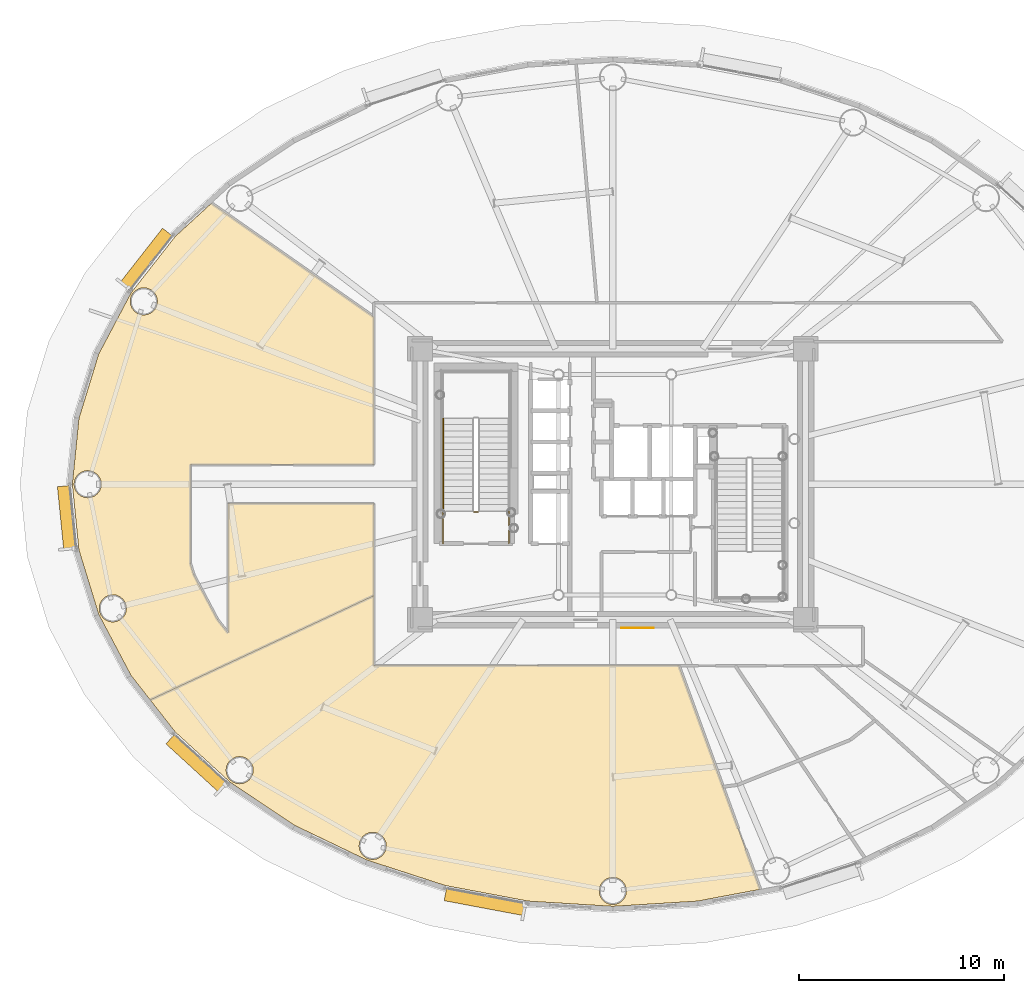
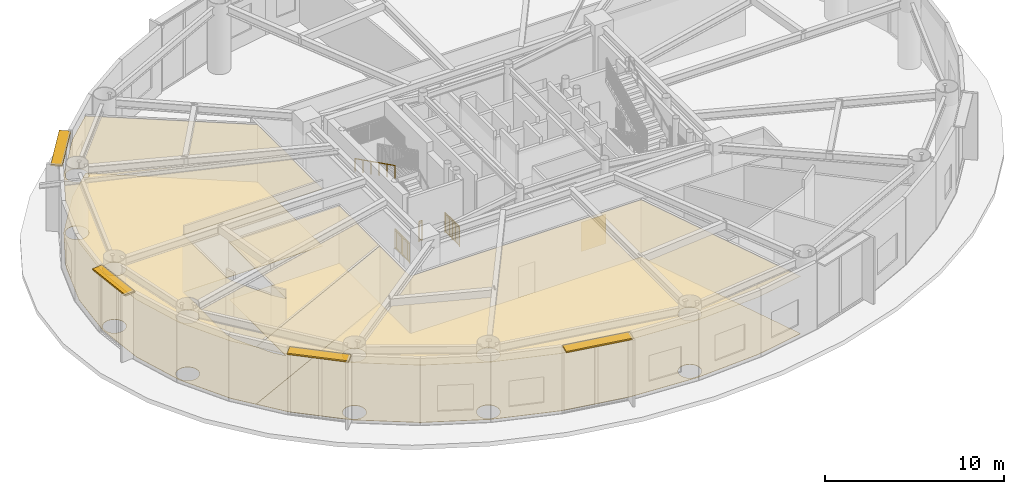
# One storey, part 31 of 38: 5 coverings, 4 railings, 4 shading devices.
"""IFC4 building model written with IfcOpenShell, lengths in metres."""

from ifc_helpers import new_model, si_unit, direction, frame, origin, origin_2d, place, context, subcontext, project, spatial, polyline, rectangle, outline, extrude, source, transform, mapped, material, layer, layer_set, type_object, element, save


model = new_model("IFC4")

# Units and contexts
model_context = context("Model", 3, precision=1e-05, world=origin(), true_north=direction((0.0, 1.0)))
body_context = subcontext(model_context, "Body", "Model", "MODEL_VIEW")
ifc_project = project(units=[si_unit("LENGTHUNIT", "METRE"), si_unit("AREAUNIT", "SQUARE_METRE"), si_unit("VOLUMEUNIT", "CUBIC_METRE"), si_unit("PLANEANGLEUNIT", "RADIAN"), si_unit("MASSUNIT", "GRAM", prefix="KILO")], contexts=[model_context])

# Site, building, storey
site_placement = place(None, origin())
site = spatial("IfcSite", under=ifc_project, at=site_placement, CompositionType="ELEMENT")
building_placement = place(site_placement, origin())
building = spatial("IfcBuilding", under=site, at=building_placement, Name="Linh Dai School and Residence Tower", CompositionType="ELEMENT")
storey_placement = place(building_placement, frame((0.0, 0.0, 151.35009765625)))
storey = spatial("IfcBuildingStorey", under=building, at=storey_placement, Name="L36", CompositionType="ELEMENT", Elevation=151.35009765625)

# Coverings
ifc_material_1 = material(Name="Mineral Fibre Acoustic Suspended Ceiling", Category="masonry")
ifc_layer_1 = layer(ifc_material_1, 0.02001953125)
ifc_layer_set_1 = layer_set([ifc_layer_1], Name="Mineral Fibre Acoustic Suspended Ceiling")
covering_type_1 = type_object("IfcCoveringType", Name="COV-CEIL-AC-20", PredefinedType="CEILING", material=ifc_layer_set_1)
covering_1_placement = place(storey_placement, frame((0.0, 0.0, 3.89990234375)))
element("IfcCovering", 1, at=covering_1_placement, inside=storey, type_object=covering_type_1, Name="L36 Mid-Zone Sky Espresso Bar and Pantry Suspended Ceiling", PredefinedType="CEILING", context=body_context, shape_type="SweptSolid", body=[
    extrude(outline(polyline([(10.932861328125, 20.658935546875), (9.972412109375, 23.791015625), (9.64990234375, 27.0), (9.972412109375, 30.208984375), (10.932861328125, 33.341064453125), (12.5087890625, 36.3203125), (14.663330078125, 39.073486328125), (16.43603515625, 40.69873046875), (24.35009765625, 35.157470703125), (24.35009765625, 27.949951171875), (15.39990234375, 27.949951171875), (15.39990234375, 23.14599609375), (15.57421875, 22.577880859375), (16.720458984375, 20.410888671875), (17.25, 19.734375), (17.25, 26.050048828125), (24.35009765625, 26.050048828125), (24.35009765625, 21.5673828125), (13.445556640625, 16.482666015625), (12.5087890625, 17.6796875), (10.932861328125, 20.658935546875)]), holes=[polyline([(13.77685546875, 35.739990234375), (13.79931640625, 35.9111328125), (13.77685546875, 36.08251953125), (13.710693359375, 36.2421875), (13.60546875, 36.37939453125), (13.468505859375, 36.484619140625), (13.308837890625, 36.55078125), (13.137451171875, 36.5732421875), (12.966064453125, 36.55078125), (12.806396484375, 36.484619140625), (12.669189453125, 36.37939453125), (12.564208984375, 36.2421875), (12.498046875, 36.08251953125), (12.475341796875, 35.9111328125), (12.498046875, 35.739990234375), (12.564208984375, 35.580078125), (12.669189453125, 35.443115234375), (12.806396484375, 35.337890625), (12.966064453125, 35.271728515625), (13.137451171875, 35.249267578125), (13.308837890625, 35.271728515625), (13.468505859375, 35.337890625), (13.60546875, 35.443115234375), (13.710693359375, 35.580078125), (13.77685546875, 35.739990234375)]), polyline([(12.264892578125, 20.775146484375), (12.28759765625, 20.9462890625), (12.264892578125, 21.117919921875), (12.198974609375, 21.27734375), (12.093505859375, 21.41455078125), (11.95654296875, 21.519775390625), (11.796875, 21.5859375), (11.62548828125, 21.6083984375), (11.4541015625, 21.5859375), (11.29443359375, 21.519775390625), (11.157470703125, 21.41455078125), (11.05224609375, 21.27734375), (10.986083984375, 21.117919921875), (10.96337890625, 20.9462890625), (10.986083984375, 20.775146484375), (11.05224609375, 20.615478515625), (11.157470703125, 20.478271484375), (11.29443359375, 20.373046875), (11.4541015625, 20.306884765625), (11.62548828125, 20.284423828125), (11.796875, 20.306884765625), (11.95654296875, 20.373046875), (12.093505859375, 20.478271484375), (12.198974609375, 20.615478515625), (12.264892578125, 20.775146484375)]), polyline([(11.039306640625, 26.82861328125), (11.06201171875, 27.0), (11.039306640625, 27.17138671875), (10.973388671875, 27.3310546875), (10.8681640625, 27.468017578125), (10.73095703125, 27.5732421875), (10.5712890625, 27.639404296875), (10.39990234375, 27.662109375), (10.228759765625, 27.639404296875), (10.069091796875, 27.5732421875), (9.931884765625, 27.468017578125), (9.82666015625, 27.3310546875), (9.760498046875, 27.17138671875), (9.738037109375, 27.0), (9.760498046875, 26.82861328125), (9.82666015625, 26.6689453125), (9.931884765625, 26.531982421875), (10.069091796875, 26.4267578125), (10.228759765625, 26.360595703125), (10.39990234375, 26.337890625), (10.5712890625, 26.360595703125), (10.73095703125, 26.4267578125), (10.8681640625, 26.531982421875), (10.973388671875, 26.6689453125), (11.039306640625, 26.82861328125)])]), origin(), (0.0, 0.0, 1.0), 0.02001953125),
])
covering_2_placement = place(storey_placement, frame((0.0, 0.0, 3.89990234375)))
element("IfcCovering", 2, at=covering_2_placement, inside=storey, type_object=covering_type_1, Name="L36 Mid-Zone Panorama Resident Lounge Suspended Ceiling", PredefinedType="CEILING", context=body_context, shape_type="SweptSolid", body=[
    extrude(outline(polyline([(36.0, 6.419921875), (31.86962890625, 6.674560546875), (27.841796875, 7.431884765625), (24.0166015625, 8.672607421875), (20.488525390625, 10.365478515625), (17.34521484375, 12.4677734375), (14.663330078125, 14.926513671875), (13.445556640625, 16.482666015625), (24.35009765625, 21.5673828125), (24.35009765625, 18.14990234375), (39.22119140625, 18.14990234375), (43.188720703125, 7.24951171875), (40.13037109375, 6.674560546875), (36.0, 6.419921875)]), holes=[polyline([(36.639404296875, 6.998779296875), (36.662109375, 7.169921875), (36.639404296875, 7.34130859375), (36.5732421875, 7.5009765625), (36.468017578125, 7.63818359375), (36.3310546875, 7.743408203125), (36.17138671875, 7.809326171875), (36.0, 7.83203125), (35.82861328125, 7.809326171875), (35.6689453125, 7.743408203125), (35.531982421875, 7.63818359375), (35.4267578125, 7.5009765625), (35.360595703125, 7.34130859375), (35.337890625, 7.169921875), (35.360595703125, 6.998779296875), (35.4267578125, 6.839111328125), (35.531982421875, 6.701904296875), (35.6689453125, 6.5966796875), (35.82861328125, 6.530517578125), (36.0, 6.508056640625), (36.17138671875, 6.530517578125), (36.3310546875, 6.5966796875), (36.468017578125, 6.701904296875), (36.5732421875, 6.839111328125), (36.639404296875, 6.998779296875)]), polyline([(24.867919921875, 9.0380859375), (24.933837890625, 9.19775390625), (24.956298828125, 9.369140625), (24.933837890625, 9.54052734375), (24.867919921875, 9.7001953125), (24.762451171875, 9.837158203125), (24.62548828125, 9.9423828125), (24.4658203125, 10.008544921875), (24.29443359375, 10.031005859375), (24.123046875, 10.008544921875), (23.96337890625, 9.9423828125), (23.826416015625, 9.837158203125), (23.72119140625, 9.7001953125), (23.655029296875, 9.54052734375), (23.63232421875, 9.369140625), (23.655029296875, 9.19775390625), (23.72119140625, 9.0380859375), (23.826416015625, 8.90087890625), (23.96337890625, 8.7958984375), (24.123046875, 8.729736328125), (24.29443359375, 8.70703125), (24.4658203125, 8.729736328125), (24.62548828125, 8.7958984375), (24.762451171875, 8.90087890625), (24.867919921875, 9.0380859375)]), polyline([(18.380859375, 12.727294921875), (18.447021484375, 12.886962890625), (18.469482421875, 13.058349609375), (18.447021484375, 13.2294921875), (18.380859375, 13.389404296875), (18.275634765625, 13.5263671875), (18.138427734375, 13.631591796875), (17.978759765625, 13.69775390625), (17.8076171875, 13.72021484375), (17.63623046875, 13.69775390625), (17.4765625, 13.631591796875), (17.33935546875, 13.5263671875), (17.234130859375, 13.389404296875), (17.168212890625, 13.2294921875), (17.1455078125, 13.058349609375), (17.168212890625, 12.886962890625), (17.234130859375, 12.727294921875), (17.33935546875, 12.590087890625), (17.4765625, 12.485107421875), (17.63623046875, 12.418701171875), (17.8076171875, 12.396240234375), (17.978759765625, 12.418701171875), (18.138427734375, 12.485107421875), (18.275634765625, 12.590087890625), (18.380859375, 12.727294921875)])]), origin(), (0.0, 0.0, 1.0), 0.02001953125),
])
ifc_material_2 = material(Name="Polished Terrazzo Floor Finish", Category="masonry")
ifc_layer_2 = layer(ifc_material_2, 0.02490234375)
ifc_layer_set_2 = layer_set([ifc_layer_2], Name="Polished Terrazzo Floor Finish")
covering_type_2 = type_object("IfcCoveringType", Name="COV-FLR-TRZ-25", PredefinedType="FLOORING", material=ifc_layer_set_2)
covering_3_placement = place(storey_placement, origin())
element("IfcCovering", 3, at=covering_3_placement, inside=storey, type_object=covering_type_2, Name="L36 Mid-Zone Sky Espresso Bar and Pantry Floor Finish", PredefinedType="FLOORING", context=body_context, shape_type="SweptSolid", body=[
    extrude(outline(polyline([(10.932861328125, 20.658935546875), (9.972412109375, 23.791015625), (9.64990234375, 27.0), (9.972412109375, 30.208984375), (10.932861328125, 33.341064453125), (12.5087890625, 36.3203125), (14.663330078125, 39.073486328125), (16.43603515625, 40.69873046875), (24.35009765625, 35.157470703125), (24.35009765625, 27.949951171875), (15.39990234375, 27.949951171875), (15.39990234375, 23.14599609375), (15.57421875, 22.577880859375), (16.720458984375, 20.410888671875), (17.25, 19.734375), (17.25, 26.050048828125), (24.35009765625, 26.050048828125), (24.35009765625, 21.5673828125), (13.445556640625, 16.482666015625), (12.5087890625, 17.6796875), (10.932861328125, 20.658935546875)]), holes=[polyline([(13.77685546875, 35.739990234375), (13.79931640625, 35.9111328125), (13.77685546875, 36.08251953125), (13.710693359375, 36.2421875), (13.60546875, 36.37939453125), (13.468505859375, 36.484619140625), (13.308837890625, 36.55078125), (13.137451171875, 36.5732421875), (12.966064453125, 36.55078125), (12.806396484375, 36.484619140625), (12.669189453125, 36.37939453125), (12.564208984375, 36.2421875), (12.498046875, 36.08251953125), (12.475341796875, 35.9111328125), (12.498046875, 35.739990234375), (12.564208984375, 35.580078125), (12.669189453125, 35.443115234375), (12.806396484375, 35.337890625), (12.966064453125, 35.271728515625), (13.137451171875, 35.249267578125), (13.308837890625, 35.271728515625), (13.468505859375, 35.337890625), (13.60546875, 35.443115234375), (13.710693359375, 35.580078125), (13.77685546875, 35.739990234375)]), polyline([(12.264892578125, 20.775146484375), (12.28759765625, 20.9462890625), (12.264892578125, 21.117919921875), (12.198974609375, 21.27734375), (12.093505859375, 21.41455078125), (11.95654296875, 21.519775390625), (11.796875, 21.5859375), (11.62548828125, 21.6083984375), (11.4541015625, 21.5859375), (11.29443359375, 21.519775390625), (11.157470703125, 21.41455078125), (11.05224609375, 21.27734375), (10.986083984375, 21.117919921875), (10.96337890625, 20.9462890625), (10.986083984375, 20.775146484375), (11.05224609375, 20.615478515625), (11.157470703125, 20.478271484375), (11.29443359375, 20.373046875), (11.4541015625, 20.306884765625), (11.62548828125, 20.284423828125), (11.796875, 20.306884765625), (11.95654296875, 20.373046875), (12.093505859375, 20.478271484375), (12.198974609375, 20.615478515625), (12.264892578125, 20.775146484375)]), polyline([(11.039306640625, 26.82861328125), (11.06201171875, 27.0), (11.039306640625, 27.17138671875), (10.973388671875, 27.3310546875), (10.8681640625, 27.468017578125), (10.73095703125, 27.5732421875), (10.5712890625, 27.639404296875), (10.39990234375, 27.662109375), (10.228759765625, 27.639404296875), (10.069091796875, 27.5732421875), (9.931884765625, 27.468017578125), (9.82666015625, 27.3310546875), (9.760498046875, 27.17138671875), (9.738037109375, 27.0), (9.760498046875, 26.82861328125), (9.82666015625, 26.6689453125), (9.931884765625, 26.531982421875), (10.069091796875, 26.4267578125), (10.228759765625, 26.360595703125), (10.39990234375, 26.337890625), (10.5712890625, 26.360595703125), (10.73095703125, 26.4267578125), (10.8681640625, 26.531982421875), (10.973388671875, 26.6689453125), (11.039306640625, 26.82861328125)])]), origin(), (0.0, 0.0, 1.0), 0.02001953125),
])
covering_4_placement = place(storey_placement, origin())
element("IfcCovering", 4, at=covering_4_placement, inside=storey, type_object=covering_type_2, Name="L36 Mid-Zone Panorama Resident Lounge Floor Finish", PredefinedType="FLOORING", context=body_context, shape_type="SweptSolid", body=[
    extrude(outline(polyline([(36.0, 6.419921875), (31.86962890625, 6.674560546875), (27.841796875, 7.431884765625), (24.0166015625, 8.672607421875), (20.488525390625, 10.365478515625), (17.34521484375, 12.4677734375), (14.663330078125, 14.926513671875), (13.445556640625, 16.482666015625), (24.35009765625, 21.5673828125), (24.35009765625, 18.14990234375), (39.22119140625, 18.14990234375), (43.188720703125, 7.24951171875), (40.13037109375, 6.674560546875), (36.0, 6.419921875)]), holes=[polyline([(36.639404296875, 6.998779296875), (36.662109375, 7.169921875), (36.639404296875, 7.34130859375), (36.5732421875, 7.5009765625), (36.468017578125, 7.63818359375), (36.3310546875, 7.743408203125), (36.17138671875, 7.809326171875), (36.0, 7.83203125), (35.82861328125, 7.809326171875), (35.6689453125, 7.743408203125), (35.531982421875, 7.63818359375), (35.4267578125, 7.5009765625), (35.360595703125, 7.34130859375), (35.337890625, 7.169921875), (35.360595703125, 6.998779296875), (35.4267578125, 6.839111328125), (35.531982421875, 6.701904296875), (35.6689453125, 6.5966796875), (35.82861328125, 6.530517578125), (36.0, 6.508056640625), (36.17138671875, 6.530517578125), (36.3310546875, 6.5966796875), (36.468017578125, 6.701904296875), (36.5732421875, 6.839111328125), (36.639404296875, 6.998779296875)]), polyline([(24.867919921875, 9.0380859375), (24.933837890625, 9.19775390625), (24.956298828125, 9.369140625), (24.933837890625, 9.54052734375), (24.867919921875, 9.7001953125), (24.762451171875, 9.837158203125), (24.62548828125, 9.9423828125), (24.4658203125, 10.008544921875), (24.29443359375, 10.031005859375), (24.123046875, 10.008544921875), (23.96337890625, 9.9423828125), (23.826416015625, 9.837158203125), (23.72119140625, 9.7001953125), (23.655029296875, 9.54052734375), (23.63232421875, 9.369140625), (23.655029296875, 9.19775390625), (23.72119140625, 9.0380859375), (23.826416015625, 8.90087890625), (23.96337890625, 8.7958984375), (24.123046875, 8.729736328125), (24.29443359375, 8.70703125), (24.4658203125, 8.729736328125), (24.62548828125, 8.7958984375), (24.762451171875, 8.90087890625), (24.867919921875, 9.0380859375)]), polyline([(18.380859375, 12.727294921875), (18.447021484375, 12.886962890625), (18.469482421875, 13.058349609375), (18.447021484375, 13.2294921875), (18.380859375, 13.389404296875), (18.275634765625, 13.5263671875), (18.138427734375, 13.631591796875), (17.978759765625, 13.69775390625), (17.8076171875, 13.72021484375), (17.63623046875, 13.69775390625), (17.4765625, 13.631591796875), (17.33935546875, 13.5263671875), (17.234130859375, 13.389404296875), (17.168212890625, 13.2294921875), (17.1455078125, 13.058349609375), (17.168212890625, 12.886962890625), (17.234130859375, 12.727294921875), (17.33935546875, 12.590087890625), (17.4765625, 12.485107421875), (17.63623046875, 12.418701171875), (17.8076171875, 12.396240234375), (17.978759765625, 12.418701171875), (18.138427734375, 12.485107421875), (18.275634765625, 12.590087890625), (18.380859375, 12.727294921875)])]), origin(), (0.0, 0.0, 1.0), 0.02001953125),
])

# Shading devices
ifc_material_3 = material(Name="Terracotta Ceramic Sunshade", Category="masonry")
ifc_layer_3 = layer(ifc_material_3, 0.10009765625)
ifc_layer_set_3 = layer_set([ifc_layer_3], Name="Terracotta Ceramic Sunshade")
shading_device_type = type_object("IfcShadingDeviceType", Name="SHD-TC-650", PredefinedType="USERDEFINED", material=ifc_layer_set_3)
shared_shape_1 = source(origin(), body_context, "Body", "SweptSolid", [
    extrude(rectangle(XDim=3.1201171875, YDim=0.64990234375, at=origin_2d()), origin(), (0.0, 0.0, 1.0), 0.10009765625),
])
shading_device_1_placement = place(storey_placement, frame((9.40380859375, 25.354736328125, 4.429931640625), z_axis=(0.0, 0.0, 1.0), x_axis=(-0.100001796141, 0.994987256586, 0.0)))
element("IfcShadingDevice", 5, at=shading_device_1_placement, inside=storey, type_object=shading_device_type, Name="L36 Terracotta Horizontal Sunshade Band 21", ObjectType="SUNSHADE", PredefinedType="USERDEFINED", context=body_context, shape_type="MappedRepresentation", body=[
    mapped(shared_shape_1, transform((0.0, 0.0, 0.0), x_axis=(1.0, 0.0, 0.0), y_axis=(0.0, 1.0, 0.0), z_axis=(0.0, 0.0, 1.0), scale=1.0)),
])
shared_shape_2 = source(origin(), body_context, "Body", "SweptSolid", [
    extrude(rectangle(XDim=3.51171875, YDim=0.64990234375, at=origin_2d()), origin(), (0.0, 0.0, 1.0), 0.10009765625),
])
shading_device_2_placement = place(storey_placement, frame((15.727294921875, 13.395263671875, 4.429931640625), z_axis=(0.0, 0.0, 1.0), x_axis=(-0.737085029426, 0.67580001435, 0.0)))
element("IfcShadingDevice", 6, at=shading_device_2_placement, inside=storey, type_object=shading_device_type, Name="L36 Terracotta Horizontal Sunshade Band 25", ObjectType="SUNSHADE", PredefinedType="USERDEFINED", context=body_context, shape_type="MappedRepresentation", body=[
    mapped(shared_shape_2, transform((0.0, 0.0, 0.0), x_axis=(1.0, 0.0, 0.0), y_axis=(0.0, 1.0, 0.0), z_axis=(0.0, 0.0, 1.0), scale=1.0)),
])
shared_shape_3 = source(origin(), body_context, "Body", "SweptSolid", [
    extrude(rectangle(XDim=3.949462890625, YDim=0.64990234375, at=origin_2d()), origin(), (0.0, 0.0, 1.0), 0.10009765625),
])
shading_device_3_placement = place(storey_placement, frame((29.780029296875, 6.650390625, 4.429931640625), z_axis=(0.0, 0.0, 1.0), x_axis=(-0.982783192645, 0.184762540184, 0.0)))
element("IfcShadingDevice", 7, at=shading_device_3_placement, inside=storey, type_object=shading_device_type, Name="L36 Terracotta Horizontal Sunshade Band 29", ObjectType="SUNSHADE", PredefinedType="USERDEFINED", context=body_context, shape_type="MappedRepresentation", body=[
    mapped(shared_shape_3, transform((0.0, 0.0, 0.0), x_axis=(1.0, 0.0, 0.0), y_axis=(0.0, 1.0, 0.0), z_axis=(0.0, 0.0, 1.0), scale=1.0)),
])
shared_shape_4 = source(origin(), body_context, "Body", "SweptSolid", [
    extrude(rectangle(XDim=3.376708984375, YDim=0.64990234375, at=origin_2d()), origin(), (0.0, 0.0, 1.0), 0.10009765625),
])
shading_device_4_placement = place(storey_placement, frame((13.263427734375, 37.94921875, 4.429931640625), z_axis=(0.0, 0.0, 1.0), x_axis=(0.616286337798, 0.787522158319, 0.0)))
element("IfcShadingDevice", 8, at=shading_device_4_placement, inside=storey, type_object=shading_device_type, Name="L36 Terracotta Horizontal Sunshade Band 17", ObjectType="SUNSHADE", PredefinedType="USERDEFINED", context=body_context, shape_type="MappedRepresentation", body=[
    mapped(shared_shape_4, transform((0.0, 0.0, 0.0), x_axis=(1.0, 0.0, 0.0), y_axis=(0.0, 1.0, 0.0), z_axis=(0.0, 0.0, 1.0), scale=1.0)),
])

# Railings
ifc_material_4 = material(Name="Structural Steel S355JR", Category="steel")
railing_type_1 = type_object("IfcRailingType", Name="RL-ST-GUARD-1400", PredefinedType="GUARDRAIL", material=ifc_material_4)
shared_shape_5 = source(origin(), body_context, "Body", "SweptSolid", [
    extrude(rectangle(XDim=0.048095703125, YDim=0.048095703125, at=origin_2d()), frame((0.0, 0.0, 1.3759765625), z_axis=(-1.0, 0.0, 0.0), x_axis=(0.0, -1.0, 0.0)), (0.0, 0.0, 1.0), 0.199951171875),
    extrude(rectangle(XDim=0.048095703125, YDim=0.048095703125, at=origin_2d()), frame((0.0, 0.0, 0.10009765625), z_axis=(-1.0, 0.0, 0.0), x_axis=(0.0, -1.0, 0.0)), (0.0, 0.0, 1.0), 0.199951171875),
    extrude(rectangle(XDim=0.030029296875, YDim=0.030029296875, at=origin_2d()), frame((0.0, 0.0, 1.239990234375), z_axis=(-1.0, 0.0, 0.0), x_axis=(0.0, -1.0, 0.0)), (0.0, 0.0, 1.0), 0.199951171875),
    extrude(rectangle(XDim=0.0419921875, YDim=0.0419921875, at=origin_2d()), origin(), (0.0, 0.0, 1.0), 1.3759765625),
    extrude(rectangle(XDim=0.0419921875, YDim=0.0419921875, at=origin_2d()), frame((-0.199951171875, 0.0, 0.0)), (0.0, 0.0, 1.0), 1.3759765625),
])
railing_1_placement = place(storey_placement, frame((29.429931640625, 25.64990234375, 0.0)))
element("IfcRailing", 9, at=railing_1_placement, inside=storey, type_object=railing_type_1, Name="L36 ST1 stair guard 7", PredefinedType="GUARDRAIL", context=body_context, shape_type="MappedRepresentation", body=[
    mapped(shared_shape_5, transform((0.0, 0.0, 0.0), x_axis=(1.0, 0.0, 0.0), y_axis=(0.0, 1.0, 0.0), z_axis=(0.0, 0.0, 1.0), scale=1.0)),
])
shared_shape_6 = source(origin(), body_context, "Body", "SweptSolid", [
    extrude(rectangle(XDim=0.048095703125, YDim=0.048095703125, at=origin_2d()), frame((0.0, 0.0, 1.3759765625), z_axis=(0.0, 1.0, 0.0), x_axis=(-1.0, 0.0, 0.0)), (0.0, 0.0, 1.0), 1.599853515625),
    extrude(rectangle(XDim=0.048095703125, YDim=0.048095703125, at=origin_2d()), frame((0.0, 0.0, 0.10009765625), z_axis=(0.0, 1.0, 0.0), x_axis=(-1.0, 0.0, 0.0)), (0.0, 0.0, 1.0), 1.599853515625),
    extrude(rectangle(XDim=0.030029296875, YDim=0.030029296875, at=origin_2d()), frame((0.0, 0.0, 1.239990234375), z_axis=(0.0, 1.0, 0.0), x_axis=(-1.0, 0.0, 0.0)), (0.0, 0.0, 1.0), 1.599853515625),
    extrude(rectangle(XDim=0.02001953125, YDim=0.02001953125, at=origin_2d()), frame((0.0, 0.093994140625, 0.10009765625)), (0.0, 0.0, 1.0), 1.251708984375),
    extrude(rectangle(XDim=0.02001953125, YDim=0.02001953125, at=origin_2d()), frame((0.0, 0.188232421875, 0.10009765625)), (0.0, 0.0, 1.0), 1.251708984375),
    extrude(rectangle(XDim=0.02001953125, YDim=0.02001953125, at=origin_2d()), frame((0.0, 0.2822265625, 0.10009765625)), (0.0, 0.0, 1.0), 1.251708984375),
    extrude(rectangle(XDim=0.02001953125, YDim=0.02001953125, at=origin_2d()), frame((0.0, 0.37646484375, 0.10009765625)), (0.0, 0.0, 1.0), 1.251708984375),
    extrude(rectangle(XDim=0.02001953125, YDim=0.02001953125, at=origin_2d()), frame((0.0, 0.470458984375, 0.10009765625)), (0.0, 0.0, 1.0), 1.251708984375),
    extrude(rectangle(XDim=0.02001953125, YDim=0.02001953125, at=origin_2d()), frame((0.0, 0.564697265625, 0.10009765625)), (0.0, 0.0, 1.0), 1.251708984375),
    extrude(rectangle(XDim=0.02001953125, YDim=0.02001953125, at=origin_2d()), frame((0.0, 0.65869140625, 0.10009765625)), (0.0, 0.0, 1.0), 1.251708984375),
    extrude(rectangle(XDim=0.02001953125, YDim=0.02001953125, at=origin_2d()), frame((0.0, 0.7529296875, 0.10009765625)), (0.0, 0.0, 1.0), 1.251708984375),
    extrude(rectangle(XDim=0.02001953125, YDim=0.02001953125, at=origin_2d()), frame((0.0, 0.846923828125, 0.10009765625)), (0.0, 0.0, 1.0), 1.251708984375),
    extrude(rectangle(XDim=0.02001953125, YDim=0.02001953125, at=origin_2d()), frame((0.0, 0.941162109375, 0.10009765625)), (0.0, 0.0, 1.0), 1.251708984375),
    extrude(rectangle(XDim=0.02001953125, YDim=0.02001953125, at=origin_2d()), frame((0.0, 1.03515625, 0.10009765625)), (0.0, 0.0, 1.0), 1.251708984375),
    extrude(rectangle(XDim=0.02001953125, YDim=0.02001953125, at=origin_2d()), frame((0.0, 1.12939453125, 0.10009765625)), (0.0, 0.0, 1.0), 1.251708984375),
    extrude(rectangle(XDim=0.02001953125, YDim=0.02001953125, at=origin_2d()), frame((0.0, 1.223388671875, 0.10009765625)), (0.0, 0.0, 1.0), 1.251708984375),
    extrude(rectangle(XDim=0.02001953125, YDim=0.02001953125, at=origin_2d()), frame((0.0, 1.317626953125, 0.10009765625)), (0.0, 0.0, 1.0), 1.251708984375),
    extrude(rectangle(XDim=0.02001953125, YDim=0.02001953125, at=origin_2d()), frame((0.0, 1.41162109375, 0.10009765625)), (0.0, 0.0, 1.0), 1.251708984375),
    extrude(rectangle(XDim=0.02001953125, YDim=0.02001953125, at=origin_2d()), frame((0.0, 1.505859375, 0.10009765625)), (0.0, 0.0, 1.0), 1.251708984375),
    extrude(rectangle(XDim=0.0419921875, YDim=0.0419921875, at=origin_2d()), origin(), (0.0, 0.0, 1.0), 1.3759765625),
    extrude(rectangle(XDim=0.0419921875, YDim=0.0419921875, at=origin_2d()), frame((0.0, 0.7998046875, 0.0)), (0.0, 0.0, 1.0), 1.3759765625),
    extrude(rectangle(XDim=0.0419921875, YDim=0.0419921875, at=origin_2d()), frame((0.0, 1.599853515625, 0.0)), (0.0, 0.0, 1.0), 1.3759765625),
])
for number, where, name in (
    (10, (30.929931640625, 24.10009765625, 0.0), "L36 ST1 stair guard 8"),
    (11, (27.72998046875, 24.10009765625, 0.0), "L36 ST1 stair guard 9"),
):
    element("IfcRailing", number, at=place(storey_placement, frame(where)), inside=storey, type_object=railing_type_1, Name=name, PredefinedType="GUARDRAIL", context=body_context, shape_type="MappedRepresentation", body=[
        mapped(shared_shape_6, transform((0.0, 0.0, 0.0), x_axis=(1.0, 0.0, 0.0), y_axis=(0.0, 1.0, 0.0), z_axis=(0.0, 0.0, 1.0), scale=1.0)),
    ])
ifc_material_5 = material(Name="Brushed Stainless Steel Handrail", Category="steel")
railing_type_2 = type_object("IfcRailingType", Name="RL-ST-HANDRAIL-900", PredefinedType="HANDRAIL", material=ifc_material_5)
shared_shape_7 = source(origin(), body_context, "Body", "SweptSolid", [
    extrude(rectangle(XDim=0.048095703125, YDim=0.048095703125, at=origin_2d()), frame((0.0, 0.0, 0.8759765625), z_axis=(0.0, -0.894427191, 0.4472135955), x_axis=(1.0, 0.0, 0.0)), (0.0, 0.0, 1.0), 5.03125),
    extrude(rectangle(XDim=0.0419921875, YDim=0.0419921875, at=origin_2d()), origin(), (0.0, 0.0, 1.0), 0.8759765625),
    extrude(rectangle(XDim=0.0419921875, YDim=0.0419921875, at=origin_2d()), frame((0.0, -0.89990234375, 0.449951171875)), (0.0, 0.0, 1.0), 0.8759765625),
    extrude(rectangle(XDim=0.0419921875, YDim=0.0419921875, at=origin_2d()), frame((0.0, -1.800048828125, 0.89990234375)), (0.0, 0.0, 1.0), 0.8759765625),
    extrude(rectangle(XDim=0.0419921875, YDim=0.0419921875, at=origin_2d()), frame((0.0, -2.699951171875, 1.35009765625)), (0.0, 0.0, 1.0), 0.8759765625),
    extrude(rectangle(XDim=0.0419921875, YDim=0.0419921875, at=origin_2d()), frame((0.0, -3.60009765625, 1.800048828125)), (0.0, 0.0, 1.0), 0.8759765625),
    extrude(rectangle(XDim=0.0419921875, YDim=0.0419921875, at=origin_2d()), frame((0.0, -4.5, 2.25)), (0.0, 0.0, 1.0), 0.8759765625),
])
railing_2_placement = place(storey_placement, frame((27.72998046875, 30.199951171875, 2.5498046875)))
element("IfcRailing", 12, at=railing_2_placement, inside=storey, type_object=railing_type_2, Name="L36 ST1 stair handrail 2", PredefinedType="HANDRAIL", context=body_context, shape_type="MappedRepresentation", body=[
    mapped(shared_shape_7, transform((0.0, 0.0, 0.0), x_axis=(1.0, 0.0, 0.0), y_axis=(0.0, 1.0, 0.0), z_axis=(0.0, 0.0, 1.0), scale=1.0)),
])

# Covering
ifc_material_6 = material(Name="Glazed Terracotta Acoustic Feature Cladding", Category="masonry")
ifc_layer_4 = layer(ifc_material_6, 0.030029296875)
ifc_layer_set_4 = layer_set([ifc_layer_4], Name="Glazed Terracotta Acoustic Feature Cladding")
covering_type_3 = type_object("IfcCoveringType", Name="COV-CLAD-TC-30", PredefinedType="CLADDING", material=ifc_layer_set_4)
shared_shape_8 = source(origin(), body_context, "Body", "SweptSolid", [
    extrude(rectangle(XDim=1.60009765625, YDim=0.030029296875, at=origin_2d()), origin(), (0.0, 0.0, 1.0), 2.0),
])
covering_5_placement = place(storey_placement, frame((37.199951171875, 19.985107421875, 0.25), z_axis=(0.0, 0.0, 1.0), x_axis=(1.0, 0.0, 0.0)))
element("IfcCovering", 13, at=covering_5_placement, inside=storey, type_object=covering_type_3, Name="L36 Core Lobby Terracotta Feature Cladding", PredefinedType="CLADDING", context=body_context, shape_type="MappedRepresentation", body=[
    mapped(shared_shape_8, transform((0.0, 0.0, 0.0), x_axis=(1.0, 0.0, 0.0), y_axis=(0.0, 1.0, 0.0), z_axis=(0.0, 0.0, 1.0), scale=1.0)),
])

save(model, "model.ifc")
